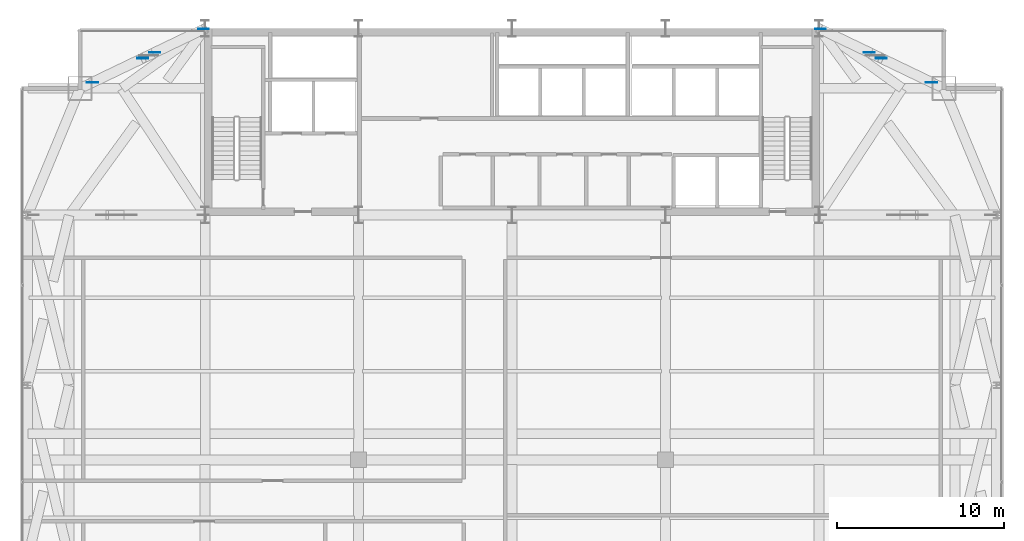
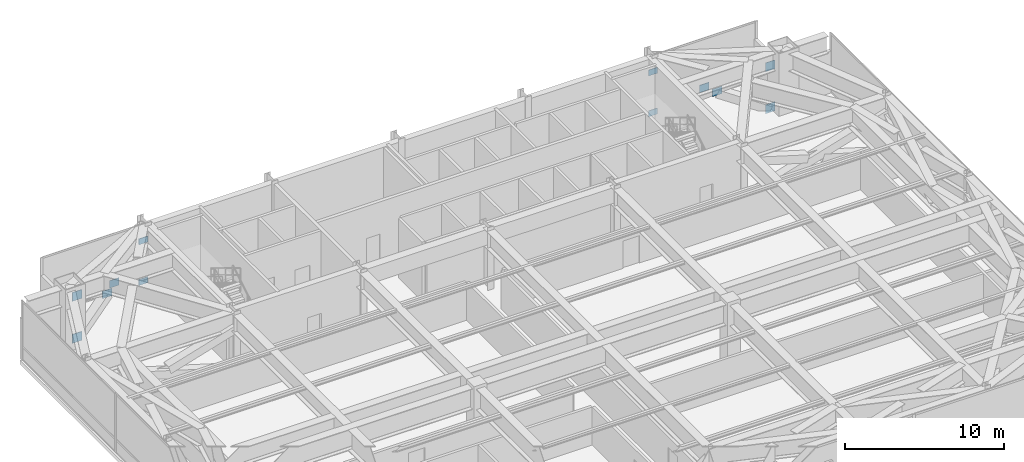
# One storey, part 29 of 32: 12 plates.
"""IFC4 building model written with IfcOpenShell, lengths in metres."""

from ifc_helpers import new_model, si_unit, direction, frame, origin, origin_2d, place, context, subcontext, project, spatial, rectangle, extrude, source, transform, mapped, material, layer, layer_set, type_object, type_shapes, element, save


model = new_model("IFC4")

# Units and contexts
model_context = context("Model", 3, precision=1e-05, world=origin(), true_north=direction((0.0, 1.0)))
body_context = subcontext(model_context, "Body", "Model", "MODEL_VIEW")
ifc_project = project(units=[si_unit("LENGTHUNIT", "METRE"), si_unit("AREAUNIT", "SQUARE_METRE"), si_unit("VOLUMEUNIT", "CUBIC_METRE"), si_unit("PLANEANGLEUNIT", "RADIAN"), si_unit("MASSUNIT", "GRAM", prefix="KILO")], contexts=[model_context])

# Site, building, storey
site_placement = place(None, origin())
site = spatial("IfcSite", under=ifc_project, at=site_placement, CompositionType="ELEMENT")
building_placement = place(site_placement, origin())
building = spatial("IfcBuilding", under=site, at=building_placement, Name="Varnel Quay Broadcast Tower", CompositionType="ELEMENT")
storey_placement = place(building_placement, frame((0.0, 0.0, 141.0)))
storey = spatial("IfcBuildingStorey", under=building, at=storey_placement, Name="L34", CompositionType="ELEMENT", Elevation=141.0)

# Plates
ifc_material = material(Name="Structural Steel CSA G40.21 350WT", Category="steel")
ifc_layer_1 = layer(ifc_material, 0.0400390625, Name="Structural Steel CSA G40.21 350WT")
ifc_layer_set_1 = layer_set([ifc_layer_1], Name="Structural Steel CSA G40.21 350WT")
plate_type_1 = type_object("IfcPlateType", Name="Plate_EmbedPlate", PredefinedType="USERDEFINED", material=ifc_layer_set_1)
shared_shape_1 = source(origin(), body_context, "Body", "SweptSolid", [
    extrude(rectangle(XDim=0.639892578125, YDim=0.0400390625, at=origin_2d()), origin(), (0.0, 0.0, 1.0), 0.449951171875),
])
type_shapes(plate_type_1, [shared_shape_1])
for number, where, z_axis, x_axis, name in (
    (1, (15.50048828125, 46.752197265625, -0.15771484375), (0.0, 0.0, 1.0), (1.0, 0.0, 0.0), "L34 Outrigger NW Diag A Wall Cast-In Embed Plate P0"),
    (2, (15.50048828125, 46.752197265625, 2.9677734375), (0.0, 0.0, 1.0), (1.0, 0.0, 0.0), "L34 Outrigger NW Diag B2 Wall Cast-In Embed Plate P1"),
    (3, (52.49951171875, 46.752197265625, -0.15771484375), (0.0, 0.0, 1.0), (1.0, 0.0, 0.0), "L34 Outrigger NE Diag A Wall Cast-In Embed Plate P0"),
    (4, (52.49951171875, 46.752197265625, 2.9677734375), (0.0, 0.0, 1.0), (1.0, 0.0, 0.0), "L34 Outrigger NE Diag B2 Wall Cast-In Embed Plate P1"),
):
    element("IfcPlate", number, at=place(storey_placement, frame(where, z_axis=z_axis, x_axis=x_axis)), inside=storey, type_object=plate_type_1, Name=name, ObjectType="EMBED_PLATE", PredefinedType="USERDEFINED", context=body_context, shape_type="MappedRepresentation", body=[
        mapped(shared_shape_1, transform((0.0, 0.0, 0.0), x_axis=(1.0, 0.0, 0.0), y_axis=(0.0, 1.0, 0.0), z_axis=(0.0, 0.0, 1.0), scale=1.0)),
    ])
ifc_layer_2 = layer(ifc_material, 0.031982421875, Name="Structural Steel CSA G40.21 350WT")
ifc_layer_set_2 = layer_set([ifc_layer_2], Name="Structural Steel CSA G40.21 350WT")
plate_type_2 = type_object("IfcPlateType", Name="Plate_EndCap", PredefinedType="USERDEFINED", material=ifc_layer_set_2)
shared_shape_2 = source(origin(), body_context, "Body", "SweptSolid", [
    extrude(rectangle(XDim=0.679931640625, YDim=0.0400390625, at=origin_2d()), origin(), (0.0, 0.0, 1.0), 0.679931640625),
])
for number, where, z_axis, x_axis, name in (
    (5, (8.83837890625, 43.554443359375, 2.89990234375), (0.0, 0.0, 1.0), (1.0, 0.0, 0.0), "L34 Outrigger NW Diag A End Connection Plate P1"),
    (6, (8.83837890625, 43.554443359375, -0.31982421875), (0.0, 0.0, 1.0), (1.0, 0.0, 0.0), "L34 Outrigger NW Diag B1 End Connection Plate P0"),
    (7, (59.16162109375, 43.554443359375, 2.89990234375), (0.0, 0.0, 1.0), (1.0, 0.0, 0.0), "L34 Outrigger NE Diag A End Connection Plate P1"),
    (8, (59.16162109375, 43.554443359375, -0.31982421875), (0.0, 0.0, 1.0), (1.0, 0.0, 0.0), "L34 Outrigger NE Diag B1 End Connection Plate P0"),
):
    element("IfcPlate", number, at=place(storey_placement, frame(where, z_axis=z_axis, x_axis=x_axis)), inside=storey, type_object=plate_type_2, Name=name, ObjectType="CAP_PLATE", PredefinedType="USERDEFINED", context=body_context, shape_type="MappedRepresentation", body=[
        mapped(shared_shape_2, transform((0.0, 0.0, 0.0), x_axis=(1.0, 0.0, 0.0), y_axis=(0.0, 1.0, 0.0), z_axis=(0.0, 0.0, 1.0), scale=1.0)),
    ])
shared_shape_3 = source(origin(), body_context, "Body", "SweptSolid", [
    extrude(rectangle(XDim=0.679931640625, YDim=0.0400390625, at=origin_2d()), origin(), (0.0, 0.0, 1.0), 0.56005859375),
])
type_shapes(plate_type_2, [shared_shape_2, shared_shape_3])
for number, where, z_axis, x_axis, name in (
    (9, (11.855712890625, 45.002685546875, 1.1767578125), (0.0, 0.0, 1.0), (1.0, 0.0, 0.0), "L34 Outrigger NW Diag B1 End Connection Plate P1"),
    (10, (12.582763671875, 45.351806640625, 1.52294921875), (0.0, 0.0, 1.0), (1.0, 0.0, 0.0), "L34 Outrigger NW Diag B2 End Connection Plate P0"),
    (11, (56.144287109375, 45.002685546875, 1.1767578125), (0.0, 0.0, 1.0), (1.0, 0.0, 0.0), "L34 Outrigger NE Diag B1 End Connection Plate P1"),
    (12, (55.417236328125, 45.351806640625, 1.52294921875), (0.0, 0.0, 1.0), (1.0, 0.0, 0.0), "L34 Outrigger NE Diag B2 End Connection Plate P0"),
):
    element("IfcPlate", number, at=place(storey_placement, frame(where, z_axis=z_axis, x_axis=x_axis)), inside=storey, type_object=plate_type_2, Name=name, ObjectType="CAP_PLATE", PredefinedType="USERDEFINED", context=body_context, shape_type="MappedRepresentation", body=[
        mapped(shared_shape_3, transform((0.0, 0.0, 0.0), x_axis=(1.0, 0.0, 0.0), y_axis=(0.0, 1.0, 0.0), z_axis=(0.0, 0.0, 1.0), scale=1.0)),
    ])

save(model, "model.ifc")
